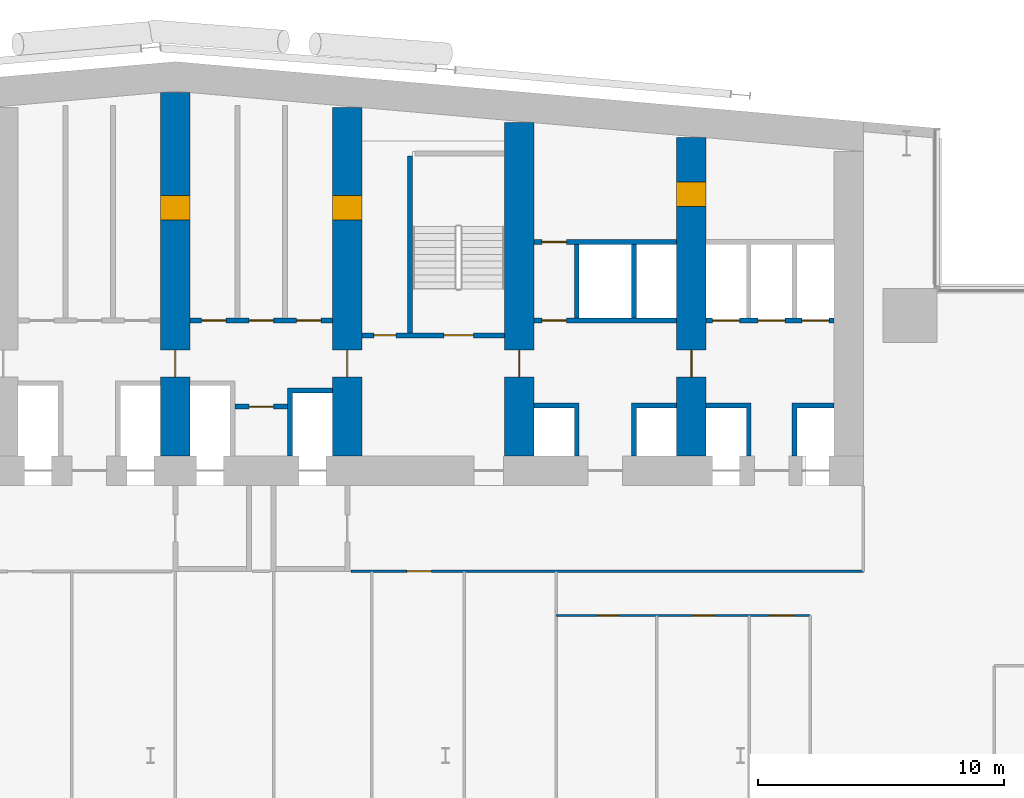
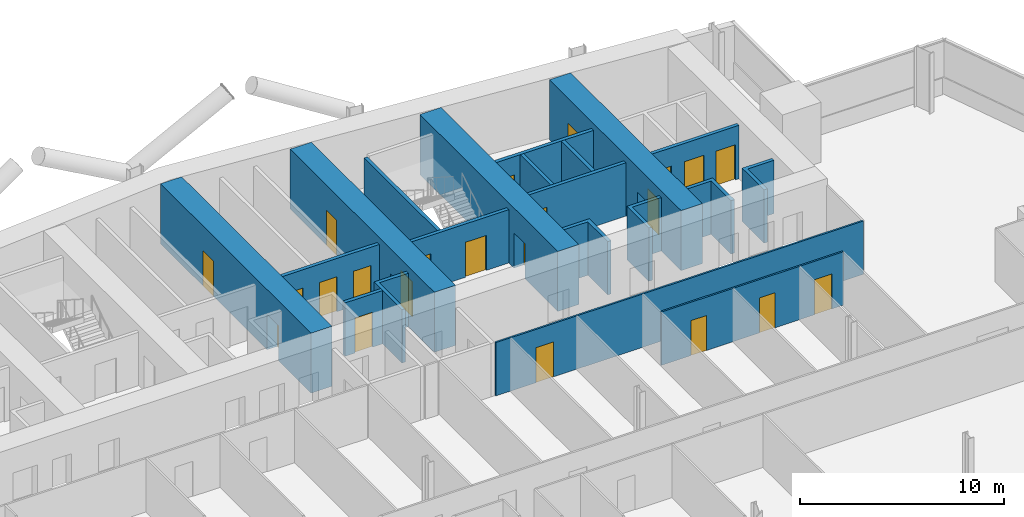
# One storey, part 18 of 28: 22 doors, 20 walls, 22 openings.
"""IFC4 building model written with IfcOpenShell, lengths in metres."""

import ifcopenshell
import ifcopenshell.guid

model = None  # the IFC model being written
_history = None  # IfcOwnerHistory: only IFC2X3 demands one
_inside = {}  # id of a spatial element -> (the spatial element, [elements in it])
_under = {}  # id of a project, library or spatial element -> (it, [spatial elements below it])
_declared = {}  # id of a project -> (the project, [libraries it declares])
_typed = {}  # id of a type object -> (the type object, [elements of that type])
_made_of = {}  # id of a material, layer set ... -> (it, [elements and type objects made of it])


def new_model(schema):
    """Start an empty IFC model of exactly this schema.

    Asked for "IFC4X3", IfcOpenShell would pick the latest addendum, in which some entities
    have other attributes; the version numbers below select the first issue.
    IFC2X3 requires an IfcOwnerHistory on every rooted entity: one is made here for all.
    """
    global model, _history
    if schema == "IFC4X3":
        model = ifcopenshell.file(schema_version=(4, 3, 0, 0))
    else:
        model = ifcopenshell.file(schema=schema)
    _inside.clear()
    _under.clear()
    _declared.clear()
    _typed.clear()
    _made_of.clear()
    _history = None
    if model.schema == "IFC2X3":
        org = make("IfcOrganization", Name="unknown")
        user = make(
            "IfcPersonAndOrganization",
            ThePerson=make("IfcPerson", FamilyName="unknown"),
            TheOrganization=org,
        )
        app = make(
            "IfcApplication",
            ApplicationDeveloper=org,
            Version="unknown",
            ApplicationFullName="unknown",
            ApplicationIdentifier="unknown",
        )
        _history = make(
            "IfcOwnerHistory",
            OwningUser=user,
            OwningApplication=app,
            ChangeAction="ADDED",
            CreationDate=0,
        )
    return model


def make(cls, **values):
    """One entity of the class cls with the attributes given. An attribute that is None is left unset."""
    return model.create_entity(
        cls, **{name: value for name, value in values.items() if value is not None}
    )


def rooted(cls, **values):
    """An entity with a GlobalId (a new one), such as an element, a storey or a relation."""
    return make(cls, GlobalId=ifcopenshell.guid.new(), OwnerHistory=_history, **values)


def si_unit(unit_type, name, prefix=None):
    """IfcSIUnit, for example si_unit("LENGTHUNIT", "METRE", prefix="MILLI")."""
    return make("IfcSIUnit", UnitType=unit_type, Prefix=prefix, Name=name)


def assignment(units):
    """IfcUnitAssignment: the units of a project."""
    return None if units is None else make("IfcUnitAssignment", Units=units)


def point(xyz):
    """IfcCartesianPoint."""
    return None if xyz is None else make("IfcCartesianPoint", Coordinates=xyz)


def direction(xyz):
    """IfcDirection."""
    return None if xyz is None else make("IfcDirection", DirectionRatios=xyz)


def frame(location, z_axis=None, x_axis=None):
    """IfcAxis2Placement3D, a coordinate frame: its origin and axes. An axis left out is left unset."""
    return make(
        "IfcAxis2Placement3D",
        Location=point(location),
        Axis=direction(z_axis),
        RefDirection=direction(x_axis),
    )


def frame_2d(location, x_axis=None):
    """IfcAxis2Placement2D, a coordinate frame in the plane: its origin and x axis."""
    return make(
        "IfcAxis2Placement2D", Location=point(location), RefDirection=direction(x_axis)
    )


def origin():
    """The frame at (0, 0, 0) with its axes left unset."""
    return frame((0.0, 0.0, 0.0))


def place(relative_to, where):
    """IfcLocalPlacement: puts the frame where relative to a parent placement (None: the world)."""
    return make(
        "IfcLocalPlacement", PlacementRelTo=relative_to, RelativePlacement=where
    )


def context(
    kind, dimensions, precision=None, world=None, true_north=None, identifier=None
):
    """IfcGeometricRepresentationContext, for example the 3D "Model" context."""
    return make(
        "IfcGeometricRepresentationContext",
        ContextIdentifier=identifier,
        ContextType=kind,
        CoordinateSpaceDimension=dimensions,
        Precision=precision,
        WorldCoordinateSystem=world,
        TrueNorth=true_north,
    )


def subcontext(parent, identifier, kind, view, scale=None):
    """IfcGeometricRepresentationSubContext, for example "Body" below "Model"."""
    return make(
        "IfcGeometricRepresentationSubContext",
        ContextIdentifier=identifier,
        ContextType=kind,
        ParentContext=parent,
        TargetScale=scale,
        TargetView=view,
    )


def project(units=None, contexts=None):
    """IfcProject with its units and contexts."""
    return rooted(
        "IfcProject",
        Name="project",
        RepresentationContexts=contexts,
        UnitsInContext=assignment(units),
    )


def spatial(cls, under=None, at=None, **own):
    """A site, building, storey or space (cls), placed at a placement, below another one or the project."""
    s = rooted(cls, ObjectPlacement=at, **own)
    if under is not None:
        _under.setdefault(under.id(), (under, []))[1].append(s)
    return s


def polyline(points):
    """IfcPolyline through the points."""
    return make("IfcPolyline", Points=[point(p) for p in points])


def profile(cls, at=None, kind="AREA", **sizes):
    """A parametric profile (cls). Its sizes go by their IFC names, for example OverallWidth=200.0."""
    return make(cls, ProfileType=kind, Position=at, **sizes)


def rectangle(**sizes):
    """IfcRectangleProfileDef."""
    return profile("IfcRectangleProfileDef", **sizes)


def outline(outer, holes=None, kind="AREA"):
    """IfcArbitraryClosedProfileDef: a profile drawn as a closed curve; with holes, ...WithVoids."""
    if holes is None:
        return make("IfcArbitraryClosedProfileDef", ProfileType=kind, OuterCurve=outer)
    return make(
        "IfcArbitraryProfileDefWithVoids",
        ProfileType=kind,
        OuterCurve=outer,
        InnerCurves=holes,
    )


def extrude(swept, where, along, depth):
    """IfcExtrudedAreaSolid: the profile swept, set in the frame where, extruded along a direction by depth."""
    return make(
        "IfcExtrudedAreaSolid",
        SweptArea=swept,
        Position=where,
        ExtrudedDirection=direction(along),
        Depth=depth,
    )


def shape(context_of_items, identifier, shape_type, items):
    """IfcShapeRepresentation: the items that make up one representation, for example the "Body"."""
    return make(
        "IfcShapeRepresentation",
        ContextOfItems=context_of_items,
        RepresentationIdentifier=identifier,
        RepresentationType=shape_type,
        Items=items,
    )


def material(Name=None, Category=None):
    """IfcMaterial."""
    return make("IfcMaterial", Name=Name, Category=Category)


def layer(
    of_material, thickness, ventilated=None, Name=None, Category=None, Priority=None
):
    """IfcMaterialLayer: one layer of a wall or slab, of a material (None: an air gap)."""
    return make(
        "IfcMaterialLayer",
        Material=of_material,
        LayerThickness=thickness,
        IsVentilated=ventilated,
        Name=Name,
        Category=Category,
        Priority=Priority,
    )


def layer_set(layers, Name=None):
    """IfcMaterialLayerSet."""
    return make("IfcMaterialLayerSet", MaterialLayers=layers, LayerSetName=Name)


def made_of(thing, what):
    """Note that an element or type object is made of a material, layer set ...; save() writes the relation."""
    if what is not None:
        _made_of.setdefault(what.id(), (what, []))[1].append(thing)
    return thing


def type_object(cls, material=None, **own):
    """A type object (cls), such as IfcWallType, which elements share."""
    return made_of(rooted(cls, **own), material)


def element(
    cls,
    number,
    at=None,
    inside=None,
    cuts=None,
    type_object=None,
    material=None,
    context=None,
    identifier="Body",
    shape_type=None,
    held_by="IfcProductDefinitionShape",
    body=None,
    shapes=None,
    **own,
):
    """One element of the class cls, such as IfcWall. Its Tag is "e" and its number.

    at: its placement. inside: the storey or other place that contains it. cuts: it is an
    opening in that element (IfcRelVoidsElement). A single representation is given by context,
    identifier, shape_type and body (its items); several are given by shapes. held_by: the class
    of the entity that holds the representations. save() writes the other relations.
    """
    e = rooted(cls, Tag="e%d" % number, ObjectPlacement=at, **own)
    if body is not None:
        shapes = [shape(context, identifier, shape_type, body)]
    if shapes is not None:
        e.Representation = make(held_by, Representations=shapes)
    if inside is not None:
        _inside.setdefault(inside.id(), (inside, []))[1].append(e)
    if cuts is not None:
        rooted(
            "IfcRelVoidsElement", RelatingBuildingElement=cuts, RelatedOpeningElement=e
        )
    if type_object is not None:
        _typed.setdefault(type_object.id(), (type_object, []))[1].append(e)
    return made_of(e, material)


def fill(opening, filler):
    """IfcRelFillsElement: the door or window that sits in an opening."""
    return rooted(
        "IfcRelFillsElement",
        RelatingOpeningElement=opening,
        RelatedBuildingElement=filler,
    )


def aggregate(whole, parts):
    """IfcRelAggregates: a whole, such as a stair, and the parts it consists of."""
    return rooted("IfcRelAggregates", RelatingObject=whole, RelatedObjects=parts)


def save(model, path):
    """Write the relations noted so far, then the file.

    IfcRelAggregates (storeys below a building ...), IfcRelContainedInSpatialStructure (elements
    in a storey), IfcRelDefinesByType, IfcRelAssociatesMaterial and IfcRelDeclares: one each for
    every whole, place, type object, material and project.
    """
    for whole, parts in _under.values():
        aggregate(whole, parts)
    for where, things in _inside.values():
        rooted(
            "IfcRelContainedInSpatialStructure",
            RelatedElements=things,
            RelatingStructure=where,
        )
    for kind, things in _typed.values():
        rooted("IfcRelDefinesByType", RelatedObjects=things, RelatingType=kind)
    for what, things in _made_of.values():
        rooted("IfcRelAssociatesMaterial", RelatedObjects=things, RelatingMaterial=what)
    for by, libraries in _declared.values():
        rooted("IfcRelDeclares", RelatingContext=by, RelatedDefinitions=libraries)
    model.write(path)


model = new_model("IFC4")

# Units and contexts
model_context = context("Model", 3, precision=1e-05, world=origin(), true_north=direction((0.0, 1.0)))
body_context = subcontext(model_context, "Body", "Model", "MODEL_VIEW")
ifc_project = project(units=[si_unit("LENGTHUNIT", "METRE"), si_unit("AREAUNIT", "SQUARE_METRE"), si_unit("VOLUMEUNIT", "CUBIC_METRE"), si_unit("PLANEANGLEUNIT", "RADIAN"), si_unit("MASSUNIT", "GRAM", prefix="KILO")], contexts=[model_context])

# Site, building, storey
site_placement = place(None, origin())
site = spatial("IfcSite", under=ifc_project, at=site_placement, CompositionType="ELEMENT")
building_placement = place(site_placement, origin())
building = spatial("IfcBuilding", under=site, at=building_placement, Name="Wharfspan Tower", CompositionType="ELEMENT")
storey_placement = place(building_placement, frame((0.0, 0.0, 52.300049)))
storey = spatial("IfcBuildingStorey", under=building, at=storey_placement, Name="L09", CompositionType="ELEMENT", Elevation=52.300049)

# Wall, opening, door
ifc_material_1 = material(Name="Gypsum board on steel studs", Category="steel")
ifc_layer_1 = layer(ifc_material_1, 0.100098)
ifc_layer_set_1 = layer_set([ifc_layer_1], Name="Gypsum board on steel studs")
wall_type_1 = type_object("IfcWallType", Name="Compartment wall 100 EI 60", PredefinedType="PARTITIONING", material=ifc_layer_set_1)
wall_1_placement = place(storey_placement, frame((44.149902, 30.5, 0.0), z_axis=(0.0, 0.0, 1.0), x_axis=(1.0, 0.0, 0.0)))
wall_1 = element("IfcWall", 1, at=wall_1_placement, inside=storey, type_object=wall_type_1, Name="Partition L09.w015 (3)", PredefinedType="PARTITIONING", context=body_context, shape_type="SweptSolid", body=[
    extrude(rectangle(XDim=20.850098, YDim=0.100098, at=frame_2d((10.425049, 0.0))), origin(), (0.0, 0.0, 1.0), 3.199951),
])
opening_1_placement = place(wall_1_placement, frame((2.27002, 0.0, 0.0)))
opening_1 = element("IfcOpeningElement", 2, at=opening_1_placement, cuts=wall_1, Name="Opening A2-39", PredefinedType="OPENING", context=body_context, shape_type="SweptSolid", body=[
    extrude(rectangle(XDim=1.0, YDim=2.100098, at=frame_2d((0.5, 1.050049))), frame((0.0, 0.060059, 0.0), z_axis=(0.0, -1.0, 0.0), x_axis=(1.0, 0.0, 0.0)), (0.0, 0.0, 1.0), 0.120117),
])
ifc_material_2 = material(Name="Fire-rated timber door leaf in steel frame", Category="steel")
door_type_1 = type_object("IfcDoorType", Name="Door 1000 FD30S Right", OperationType="SINGLE_SWING_RIGHT", PredefinedType="DOOR", material=ifc_material_2)
door_1_placement = place(opening_1_placement, origin())
door_1 = element("IfcDoor", 3, at=door_1_placement, inside=storey, type_object=door_type_1, Name="Door A2-39", OperationType="SINGLE_SWING_RIGHT", OverallHeight=2.100098, OverallWidth=1.0, PredefinedType="DOOR", context=body_context, shape_type="SweptSolid", body=[
    extrude(rectangle(XDim=1.0, YDim=2.100098, at=frame_2d((0.5, 1.050049))), frame((0.0, 0.024902, 0.0), z_axis=(0.0, -1.0, 0.0), x_axis=(1.0, 0.0, 0.0)), (0.0, 0.0, 1.0), 0.050049),
])
fill(opening_1, door_1)

ifc_material_3 = material(Name="Calcium silicate masonry", Category="masonry")
ifc_layer_2 = layer(ifc_material_3, 0.199951)
ifc_layer_set_2 = layer_set([ifc_layer_2], Name="Calcium silicate masonry")
wall_type_2 = type_object("IfcWallType", Name="Core room wall 200", PredefinedType="PARTITIONING", material=ifc_layer_set_2)
wall_2_placement = place(storey_placement, frame((39.43335, 37.199951, 0.0), z_axis=(0.0, 0.0, 1.0), x_axis=(1.0, 0.0, 0.0)))
wall_2 = element("IfcWall", 4, at=wall_2_placement, inside=storey, type_object=wall_type_2, Name="sw:L09:FR4.2", PredefinedType="PARTITIONING", context=body_context, shape_type="SweptSolid", body=[
    extrude(rectangle(XDim=2.133301, YDim=0.199951, at=frame_2d((1.06665, 0.0))), origin(), (0.0, 0.0, 1.0), 3.199951),
])
opening_2_placement = place(wall_2_placement, frame((0.56665, 0.0, 0.0)))
opening_2 = element("IfcOpeningElement", 5, at=opening_2_placement, cuts=wall_2, Name="Opening CD09.4H2", PredefinedType="OPENING", context=body_context, shape_type="SweptSolid", body=[
    extrude(rectangle(XDim=1.0, YDim=2.100098, at=frame_2d((0.5, 1.050049))), frame((0.0, 0.109863, 0.0), z_axis=(0.0, -1.0, 0.0), x_axis=(1.0, 0.0, 0.0)), (0.0, 0.0, 1.0), 0.219971),
])
ifc_material_4 = material(Name="Steel door leaf", Category="steel")
door_type_2 = type_object("IfcDoorType", Name="Core room door 1000x2100", OperationType="SINGLE_SWING_LEFT", PredefinedType="DOOR", material=ifc_material_4)
door_2_placement = place(opening_2_placement, origin())
door_2 = element("IfcDoor", 6, at=door_2_placement, inside=storey, type_object=door_type_2, Name="d:L09:4:fh4.2", OperationType="SINGLE_SWING_RIGHT", OverallHeight=2.100098, OverallWidth=1.0, PredefinedType="DOOR", context=body_context, shape_type="SweptSolid", body=[
    extrude(rectangle(XDim=1.0, YDim=2.100098, at=frame_2d((0.5, 1.050049))), frame((0.0, 0.024902, 0.0), z_axis=(0.0, -1.0, 0.0), x_axis=(1.0, 0.0, 0.0)), (0.0, 0.0, 1.0), 0.050049),
])
fill(opening_2, door_2)

# Wall, openings, doors
ifc_material_5 = material(Name="Concrete C70/85", Category="concrete")
ifc_layer_3 = layer(ifc_material_5, 1.199951)
ifc_layer_set_3 = layer_set([ifc_layer_3], Name="Concrete C70/85")
wall_type_3 = type_object("IfcWallType", Name="Core wall 1200 C70/85", PredefinedType="SHEAR", material=ifc_layer_set_3)
wall_3_placement = place(storey_placement, frame((37.0, 35.199951, 0.0), z_axis=(0.0, 0.0, 1.0), x_axis=(0.0, 1.0, 0.0)))
wall_3 = element("IfcWall", 7, at=wall_3_placement, inside=storey, type_object=wall_type_3, Name="Core cross wall X4 L09", PredefinedType="SHEAR", context=body_context, shape_type="SweptSolid", body=[
    extrude(rectangle(XDim=14.780029, YDim=1.199951, at=frame_2d((7.390137, 0.0))), origin(), (0.0, 0.0, 1.0), 3.599854),
])
opening_3_placement = place(wall_3_placement, frame((3.199951, 0.0, 0.0)))
opening_3 = element("IfcOpeningElement", 8, at=opening_3_placement, cuts=wall_3, Name="Opening CC09.4", PredefinedType="OPENING", context=body_context, shape_type="SweptSolid", body=[
    extrude(rectangle(XDim=1.100098, YDim=2.100098, at=frame_2d((0.550049, 1.050049))), frame((0.0, 0.609863, 0.0), z_axis=(0.0, -1.0, 0.0), x_axis=(1.0, 0.0, 0.0)), (0.0, 0.0, 1.0), 1.219971),
])
opening_4_placement = place(wall_3_placement, frame((9.600098, 0.0, 0.0)))
opening_4 = element("IfcOpeningElement", 9, at=opening_4_placement, cuts=wall_3, Name="Opening CR09.4", PredefinedType="OPENING", context=body_context, shape_type="SweptSolid", body=[
    extrude(rectangle(XDim=1.0, YDim=2.100098, at=frame_2d((0.5, 1.050049))), frame((0.0, 0.609863, 0.0), z_axis=(0.0, -1.0, 0.0), x_axis=(1.0, 0.0, 0.0)), (0.0, 0.0, 1.0), 1.219971),
])
door_type_3 = type_object("IfcDoorType", Name="Core corridor door 1100x2100", OperationType="SINGLE_SWING_LEFT", PredefinedType="DOOR", material=ifc_material_4)
door_3_placement = place(opening_3_placement, origin())
door_3 = element("IfcDoor", 10, at=door_3_placement, inside=storey, type_object=door_type_3, Name="xd:L09:4", OperationType="SINGLE_SWING_RIGHT", OverallHeight=2.100098, OverallWidth=1.100098, PredefinedType="DOOR", context=body_context, shape_type="SweptSolid", body=[
    extrude(rectangle(XDim=1.100098, YDim=2.100098, at=frame_2d((0.550049, 1.050049))), frame((0.0, 0.024902, 0.0), z_axis=(0.0, -1.0, 0.0), x_axis=(1.0, 0.0, 0.0)), (0.0, 0.0, 1.0), 0.050049),
])
fill(opening_3, door_3)
door_4_placement = place(opening_4_placement, origin())
door_4 = element("IfcDoor", 11, at=door_4_placement, inside=storey, type_object=door_type_2, Name="xr:L09:4", OperationType="SINGLE_SWING_RIGHT", OverallHeight=2.100098, OverallWidth=1.0, PredefinedType="DOOR", context=body_context, shape_type="SweptSolid", body=[
    extrude(rectangle(XDim=1.0, YDim=2.100098, at=frame_2d((0.5, 1.050049))), frame((0.0, 0.599609, 0.0), z_axis=(0.0, -1.0, 0.0), x_axis=(1.0, 0.0, 0.0)), (0.0, 0.0, 1.0), 1.199463),
])
fill(opening_4, door_4)

wall_4_placement = place(storey_placement, frame((44.0, 35.199951, 0.0), z_axis=(0.0, 0.0, 1.0), x_axis=(0.0, 1.0, 0.0)))
wall_4 = element("IfcWall", 12, at=wall_4_placement, inside=storey, type_object=wall_type_3, Name="Core cross wall X5 L09", PredefinedType="SHEAR", context=body_context, shape_type="SweptSolid", body=[
    extrude(rectangle(XDim=14.167725, YDim=1.199951, at=frame_2d((7.083984, 0.0))), origin(), (0.0, 0.0, 1.0), 3.599854),
])
opening_5_placement = place(wall_4_placement, frame((3.199951, 0.0, 0.0)))
opening_5 = element("IfcOpeningElement", 13, at=opening_5_placement, cuts=wall_4, Name="Opening CC09.5", PredefinedType="OPENING", context=body_context, shape_type="SweptSolid", body=[
    extrude(rectangle(XDim=1.100098, YDim=2.100098, at=frame_2d((0.550049, 1.050049))), frame((0.0, 0.609863, 0.0), z_axis=(0.0, -1.0, 0.0), x_axis=(1.0, 0.0, 0.0)), (0.0, 0.0, 1.0), 1.219971),
])
opening_6_placement = place(wall_4_placement, frame((9.600098, 0.0, 0.0)))
opening_6 = element("IfcOpeningElement", 14, at=opening_6_placement, cuts=wall_4, Name="Opening CR09.5", PredefinedType="OPENING", context=body_context, shape_type="SweptSolid", body=[
    extrude(rectangle(XDim=1.0, YDim=2.100098, at=frame_2d((0.5, 1.050049))), frame((0.0, 0.609863, 0.0), z_axis=(0.0, -1.0, 0.0), x_axis=(1.0, 0.0, 0.0)), (0.0, 0.0, 1.0), 1.219971),
])
door_5_placement = place(opening_5_placement, origin())
door_5 = element("IfcDoor", 15, at=door_5_placement, inside=storey, type_object=door_type_3, Name="xd:L09:5", OperationType="SINGLE_SWING_LEFT", OverallHeight=2.100098, OverallWidth=1.100098, PredefinedType="DOOR", context=body_context, shape_type="SweptSolid", body=[
    extrude(rectangle(XDim=1.100098, YDim=2.100098, at=frame_2d((0.550049, 1.050049))), frame((0.0, 0.024902, 0.0), z_axis=(0.0, -1.0, 0.0), x_axis=(1.0, 0.0, 0.0)), (0.0, 0.0, 1.0), 0.050049),
])
fill(opening_5, door_5)
door_6_placement = place(opening_6_placement, origin())
door_6 = element("IfcDoor", 16, at=door_6_placement, inside=storey, type_object=door_type_2, Name="xr:L09:5", OperationType="SINGLE_SWING_RIGHT", OverallHeight=2.100098, OverallWidth=1.0, PredefinedType="DOOR", context=body_context, shape_type="SweptSolid", body=[
    extrude(rectangle(XDim=1.0, YDim=2.100098, at=frame_2d((0.5, 1.050049))), frame((0.0, 0.599609, 0.0), z_axis=(0.0, -1.0, 0.0), x_axis=(1.0, 0.0, 0.0)), (0.0, 0.0, 1.0), 1.199463),
])
fill(opening_6, door_6)

# Wall, opening, door
wall_5_placement = place(storey_placement, frame((51.0, 35.199951, 0.0), z_axis=(0.0, 0.0, 1.0), x_axis=(0.0, 1.0, 0.0)))
wall_5 = element("IfcWall", 17, at=wall_5_placement, inside=storey, type_object=wall_type_3, Name="Core cross wall X6 L09", PredefinedType="SHEAR", context=body_context, shape_type="SweptSolid", body=[
    extrude(rectangle(XDim=13.555176, YDim=1.199951, at=frame_2d((6.777588, 0.0))), origin(), (0.0, 0.0, 1.0), 3.599854),
])
opening_7_placement = place(wall_5_placement, frame((3.199951, 0.0, 0.0)))
opening_7 = element("IfcOpeningElement", 18, at=opening_7_placement, cuts=wall_5, Name="Opening CC09.6", PredefinedType="OPENING", context=body_context, shape_type="SweptSolid", body=[
    extrude(rectangle(XDim=1.100098, YDim=2.100098, at=frame_2d((0.550049, 1.050049))), frame((0.0, 0.609863, 0.0), z_axis=(0.0, -1.0, 0.0), x_axis=(1.0, 0.0, 0.0)), (0.0, 0.0, 1.0), 1.219971),
])
door_7_placement = place(opening_7_placement, origin())
door_7 = element("IfcDoor", 19, at=door_7_placement, inside=storey, type_object=door_type_3, Name="xd:L09:6", OperationType="SINGLE_SWING_RIGHT", OverallHeight=2.100098, OverallWidth=1.100098, PredefinedType="DOOR", context=body_context, shape_type="SweptSolid", body=[
    extrude(rectangle(XDim=1.100098, YDim=2.100098, at=frame_2d((0.550049, 1.050049))), frame((0.0, 0.024902, 0.0), z_axis=(0.0, -1.0, 0.0), x_axis=(1.0, 0.0, 0.0)), (0.0, 0.0, 1.0), 0.050049),
])
fill(opening_7, door_7)

# Wall, openings, doors
wall_6_placement = place(storey_placement, frame((58.0, 35.199951, 0.0), z_axis=(0.0, 0.0, 1.0), x_axis=(0.0, 1.0, 0.0)))
wall_6 = element("IfcWall", 20, at=wall_6_placement, inside=storey, type_object=wall_type_3, Name="Core cross wall X7 L09", PredefinedType="SHEAR", context=body_context, shape_type="SweptSolid", body=[
    extrude(rectangle(XDim=12.942871, YDim=1.199951, at=frame_2d((6.471436, 0.0))), origin(), (0.0, 0.0, 1.0), 3.599854),
])
opening_8_placement = place(wall_6_placement, frame((10.133789, 0.0, 0.0)))
opening_8 = element("IfcOpeningElement", 21, at=opening_8_placement, cuts=wall_6, Name="Opening CD09.7X", PredefinedType="OPENING", context=body_context, shape_type="SweptSolid", body=[
    extrude(rectangle(XDim=1.0, YDim=2.100098, at=frame_2d((0.5, 1.050049))), frame((0.0, 0.609863, 0.0), z_axis=(0.0, -1.0, 0.0), x_axis=(1.0, 0.0, 0.0)), (0.0, 0.0, 1.0), 1.219971),
])
opening_9_placement = place(wall_6_placement, frame((3.199951, 0.0, 0.0)))
opening_9 = element("IfcOpeningElement", 22, at=opening_9_placement, cuts=wall_6, Name="Opening CC09.7", PredefinedType="OPENING", context=body_context, shape_type="SweptSolid", body=[
    extrude(rectangle(XDim=1.100098, YDim=2.100098, at=frame_2d((0.550049, 1.050049))), frame((0.0, 0.609863, 0.0), z_axis=(0.0, -1.0, 0.0), x_axis=(1.0, 0.0, 0.0)), (0.0, 0.0, 1.0), 1.219971),
])
door_8_placement = place(opening_9_placement, origin())
door_8 = element("IfcDoor", 23, at=door_8_placement, inside=storey, type_object=door_type_3, Name="xd:L09:7", OperationType="SINGLE_SWING_LEFT", OverallHeight=2.100098, OverallWidth=1.100098, PredefinedType="DOOR", context=body_context, shape_type="SweptSolid", body=[
    extrude(rectangle(XDim=1.100098, YDim=2.100098, at=frame_2d((0.550049, 1.050049))), frame((0.0, 0.024902, 0.0), z_axis=(0.0, -1.0, 0.0), x_axis=(1.0, 0.0, 0.0)), (0.0, 0.0, 1.0), 0.050049),
])
fill(opening_9, door_8)
door_9_placement = place(opening_8_placement, origin())
door_9 = element("IfcDoor", 24, at=door_9_placement, inside=storey, type_object=door_type_2, Name="d:L09:7:sx", OperationType="SINGLE_SWING_LEFT", OverallHeight=2.100098, OverallWidth=1.0, PredefinedType="DOOR", context=body_context, shape_type="SweptSolid", body=[
    extrude(rectangle(XDim=1.0, YDim=2.100098, at=frame_2d((0.5, 1.050049))), frame((0.0, 0.599609, 0.0), z_axis=(0.0, -1.0, 0.0), x_axis=(1.0, 0.0, 0.0)), (0.0, 0.0, 1.0), 1.199463),
])
fill(opening_8, door_9)

ifc_material_6 = material(Name="Concrete C30/37", Category="concrete")
ifc_layer_4 = layer(ifc_material_6, 0.199951)
ifc_layer_set_4 = layer_set([ifc_layer_4], Name="Concrete C30/37")
wall_type_4 = type_object("IfcWallType", Name="Lift shaft wall 200", PredefinedType="PARTITIONING", material=ifc_layer_set_4)
wall_7_placement = place(storey_placement, frame((37.600098, 40.699951, 0.0), z_axis=(0.0, 0.0, 1.0), x_axis=(1.0, 0.0, 0.0)))
wall_7 = element("IfcWall", 25, at=wall_7_placement, inside=storey, type_object=wall_type_4, Name="sw:L09:RF4", PredefinedType="PARTITIONING", context=body_context, shape_type="SweptSolid", body=[
    extrude(rectangle(XDim=5.799805, YDim=0.199951, at=frame_2d((2.899902, 0.0))), origin(), (0.0, 0.0, 1.0), 3.199951),
])
opening_10_placement = place(wall_7_placement, frame((0.466797, 0.0, 0.0)))
opening_10 = element("IfcOpeningElement", 26, at=opening_10_placement, cuts=wall_7, Name="Opening CD09.4S", PredefinedType="OPENING", context=body_context, shape_type="SweptSolid", body=[
    extrude(rectangle(XDim=1.0, YDim=2.100098, at=frame_2d((0.5, 1.050049))), frame((0.0, 0.109863, 0.0), z_axis=(0.0, -1.0, 0.0), x_axis=(1.0, 0.0, 0.0)), (0.0, 0.0, 1.0), 0.219971),
])
opening_11_placement = place(wall_7_placement, frame((2.399902, 0.0, 0.0)))
opening_11 = element("IfcOpeningElement", 27, at=opening_11_placement, cuts=wall_7, Name="Opening CD09.4Sa", PredefinedType="OPENING", context=body_context, shape_type="SweptSolid", body=[
    extrude(rectangle(XDim=1.0, YDim=2.100098, at=frame_2d((0.5, 1.050049))), frame((0.0, 0.109863, 0.0), z_axis=(0.0, -1.0, 0.0), x_axis=(1.0, 0.0, 0.0)), (0.0, 0.0, 1.0), 0.219971),
])
opening_12_placement = place(wall_7_placement, frame((4.333252, 0.0, 0.0)))
opening_12 = element("IfcOpeningElement", 28, at=opening_12_placement, cuts=wall_7, Name="Opening CD09.4Sb", PredefinedType="OPENING", context=body_context, shape_type="SweptSolid", body=[
    extrude(rectangle(XDim=1.0, YDim=2.100098, at=frame_2d((0.5, 1.050049))), frame((0.0, 0.109863, 0.0), z_axis=(0.0, -1.0, 0.0), x_axis=(1.0, 0.0, 0.0)), (0.0, 0.0, 1.0), 0.219971),
])
door_10_placement = place(opening_10_placement, origin())
door_10 = element("IfcDoor", 29, at=door_10_placement, inside=storey, type_object=door_type_2, Name="d:L09:4:sf", OperationType="SINGLE_SWING_LEFT", OverallHeight=2.100098, OverallWidth=1.0, PredefinedType="DOOR", context=body_context, shape_type="SweptSolid", body=[
    extrude(rectangle(XDim=1.0, YDim=2.100098, at=frame_2d((0.5, 1.050049))), frame((0.0, 0.024902, 0.0), z_axis=(0.0, -1.0, 0.0), x_axis=(1.0, 0.0, 0.0)), (0.0, 0.0, 1.0), 0.050049),
])
fill(opening_10, door_10)
door_11_placement = place(opening_11_placement, origin())
door_11 = element("IfcDoor", 30, at=door_11_placement, inside=storey, type_object=door_type_2, Name="d:L09:4:sf1", OperationType="SINGLE_SWING_LEFT", OverallHeight=2.100098, OverallWidth=1.0, PredefinedType="DOOR", context=body_context, shape_type="SweptSolid", body=[
    extrude(rectangle(XDim=1.0, YDim=2.100098, at=frame_2d((0.5, 1.050049))), frame((0.0, 0.024902, 0.0), z_axis=(0.0, -1.0, 0.0), x_axis=(1.0, 0.0, 0.0)), (0.0, 0.0, 1.0), 0.050049),
])
fill(opening_11, door_11)
door_12_placement = place(opening_12_placement, origin())
door_12 = element("IfcDoor", 31, at=door_12_placement, inside=storey, type_object=door_type_2, Name="d:L09:4:sf2", OperationType="SINGLE_SWING_LEFT", OverallHeight=2.100098, OverallWidth=1.0, PredefinedType="DOOR", context=body_context, shape_type="SweptSolid", body=[
    extrude(rectangle(XDim=1.0, YDim=2.100098, at=frame_2d((0.5, 1.050049))), frame((0.0, 0.024902, 0.0), z_axis=(0.0, -1.0, 0.0), x_axis=(1.0, 0.0, 0.0)), (0.0, 0.0, 1.0), 0.050049),
])
fill(opening_12, door_12)

# Wall
wall_8_placement = place(storey_placement, frame((0.0, 0.0, -0.000244)))
element("IfcWall", 32, at=wall_8_placement, inside=storey, type_object=wall_type_4, Name="sw:L09:FM4.0", PredefinedType="PARTITIONING", context=body_context, shape_type="SweptSolid", body=[
    extrude(outline(polyline([(41.56665, 37.949951), (41.766602, 37.949951), (43.399902, 37.949951), (43.399902, 37.75), (41.766602, 37.75), (41.766602, 35.199951), (41.56665, 35.199951), (41.56665, 37.949951)])), origin(), (0.0, 0.0, 1.0), 3.200195),
])

# Wall, opening, door
wall_9_placement = place(storey_placement, frame((51.600098, 40.699951, 0.0), z_axis=(0.0, 0.0, 1.0), x_axis=(1.0, 0.0, 0.0)))
wall_9 = element("IfcWall", 33, at=wall_9_placement, inside=storey, type_object=wall_type_4, Name="sw:L09:RF6", PredefinedType="PARTITIONING", context=body_context, shape_type="SweptSolid", body=[
    extrude(rectangle(XDim=5.799805, YDim=0.199951, at=frame_2d((2.899902, 0.0))), origin(), (0.0, 0.0, 1.0), 3.199951),
])
opening_13_placement = place(wall_9_placement, frame((0.31665, 0.0, 0.0)))
opening_13 = element("IfcOpeningElement", 34, at=opening_13_placement, cuts=wall_9, Name="Opening CD09.6R1", PredefinedType="OPENING", context=body_context, shape_type="SweptSolid", body=[
    extrude(rectangle(XDim=1.0, YDim=2.100098, at=frame_2d((0.5, 1.050049))), frame((0.0, 0.109863, 0.0), z_axis=(0.0, -1.0, 0.0), x_axis=(1.0, 0.0, 0.0)), (0.0, 0.0, 1.0), 0.219971),
])
door_13_placement = place(opening_13_placement, origin())
door_13 = element("IfcDoor", 35, at=door_13_placement, inside=storey, type_object=door_type_2, Name="d:L09:6:rd6.1", OperationType="SINGLE_SWING_RIGHT", OverallHeight=2.100098, OverallWidth=1.0, PredefinedType="DOOR", context=body_context, shape_type="SweptSolid", body=[
    extrude(rectangle(XDim=1.0, YDim=2.100098, at=frame_2d((0.5, 1.050049))), frame((0.0, 0.024902, 0.0), z_axis=(0.0, -1.0, 0.0), x_axis=(1.0, 0.0, 0.0)), (0.0, 0.0, 1.0), 0.050049),
])
fill(opening_13, door_13)

wall_10_placement = place(storey_placement, frame((51.600098, 43.899902, 0.0), z_axis=(0.0, 0.0, 1.0), x_axis=(1.0, 0.0, 0.0)))
wall_10 = element("IfcWall", 36, at=wall_10_placement, inside=storey, type_object=wall_type_4, Name="sw:L09:RR6", PredefinedType="PARTITIONING", context=body_context, shape_type="SweptSolid", body=[
    extrude(rectangle(XDim=5.799805, YDim=0.199951, at=frame_2d((2.899902, 0.0))), origin(), (0.0, 0.0, 1.0), 3.199951),
])
opening_14_placement = place(wall_10_placement, frame((0.31665, 0.0, 0.0)))
opening_14 = element("IfcOpeningElement", 37, at=opening_14_placement, cuts=wall_10, Name="Opening CD09.6S1", PredefinedType="OPENING", context=body_context, shape_type="SweptSolid", body=[
    extrude(rectangle(XDim=1.0, YDim=2.100098, at=frame_2d((0.5, 1.050049))), frame((0.0, 0.109863, 0.0), z_axis=(0.0, -1.0, 0.0), x_axis=(1.0, 0.0, 0.0)), (0.0, 0.0, 1.0), 0.219971),
])
door_14_placement = place(opening_14_placement, origin())
door_14 = element("IfcDoor", 38, at=door_14_placement, inside=storey, type_object=door_type_2, Name="d:L09:6:rs6.1", OperationType="SINGLE_SWING_LEFT", OverallHeight=2.100098, OverallWidth=1.0, PredefinedType="DOOR", context=body_context, shape_type="SweptSolid", body=[
    extrude(rectangle(XDim=1.0, YDim=2.100098, at=frame_2d((0.5, 1.050049))), frame((0.0, 0.024902, 0.0), z_axis=(0.0, -1.0, 0.0), x_axis=(1.0, 0.0, 0.0)), (0.0, 0.0, 1.0), 0.050049),
])
fill(opening_14, door_14)

# Walls
wall_11_placement = place(storey_placement, frame((0.0, 0.0, -0.000244)))
element("IfcWall", 39, at=wall_11_placement, inside=storey, type_object=wall_type_4, Name="sw:L09:FM6.0", PredefinedType="PARTITIONING", context=body_context, shape_type="SweptSolid", body=[
    extrude(outline(polyline([(53.233398, 37.149902), (51.600098, 37.149902), (51.600098, 37.350098), (53.233398, 37.350098), (53.43335, 37.350098), (53.43335, 35.199951), (53.233398, 35.199951), (53.233398, 37.149902)])), origin(), (0.0, 0.0, 1.0), 3.200195),
])
wall_12_placement = place(storey_placement, frame((0.0, 0.0, -0.000244)))
element("IfcWall", 40, at=wall_12_placement, inside=storey, type_object=wall_type_4, Name="sw:L09:FM6.1", PredefinedType="PARTITIONING", context=body_context, shape_type="SweptSolid", body=[
    extrude(outline(polyline([(55.56665, 37.350098), (55.766602, 37.350098), (57.399902, 37.350098), (57.399902, 37.149902), (55.766602, 37.149902), (55.766602, 35.199951), (55.56665, 35.199951), (55.56665, 37.350098)])), origin(), (0.0, 0.0, 1.0), 3.200195),
])
wall_13_placement = place(storey_placement, frame((0.0, 0.0, -0.000244)))
element("IfcWall", 41, at=wall_13_placement, inside=storey, type_object=wall_type_4, Name="sw:L09:RM6.0", PredefinedType="PARTITIONING", context=body_context, shape_type="SweptSolid", body=[
    extrude(outline(polyline([(53.233398, 40.800049), (53.233398, 43.800049), (53.43335, 43.800049), (53.43335, 40.800049), (53.233398, 40.800049)])), origin(), (0.0, 0.0, 1.0), 3.200195),
])
wall_14_placement = place(storey_placement, frame((0.0, 0.0, -0.000244)))
element("IfcWall", 42, at=wall_14_placement, inside=storey, type_object=wall_type_4, Name="sw:L09:RM6.1", PredefinedType="PARTITIONING", context=body_context, shape_type="SweptSolid", body=[
    extrude(outline(polyline([(55.56665, 40.800049), (55.56665, 43.800049), (55.766602, 43.800049), (55.766602, 40.800049), (55.56665, 40.800049)])), origin(), (0.0, 0.0, 1.0), 3.200195),
])

# Wall, openings, doors
wall_15_placement = place(storey_placement, frame((58.600098, 40.699951, 0.0), z_axis=(0.0, 0.0, 1.0), x_axis=(1.0, 0.0, 0.0)))
wall_15 = element("IfcWall", 43, at=wall_15_placement, inside=storey, type_object=wall_type_4, Name="sw:L09:RF7", PredefinedType="PARTITIONING", context=body_context, shape_type="SweptSolid", body=[
    extrude(rectangle(XDim=5.199951, YDim=0.199951, at=frame_2d((2.600098, 0.0))), origin(), (0.0, 0.0, 1.0), 3.199951),
])
opening_15_placement = place(wall_15_placement, frame((0.266602, 0.0, 0.0)))
opening_15 = element("IfcOpeningElement", 44, at=opening_15_placement, cuts=wall_15, Name="Opening LD.LA8.L09", PredefinedType="OPENING", context=body_context, shape_type="SweptSolid", body=[
    extrude(rectangle(XDim=1.100098, YDim=2.100098, at=frame_2d((0.550049, 1.050049))), frame((0.0, 0.109863, 0.0), z_axis=(0.0, -1.0, 0.0), x_axis=(1.0, 0.0, 0.0)), (0.0, 0.0, 1.0), 0.219971),
])
opening_16_placement = place(wall_15_placement, frame((2.116699, 0.0, 0.0)))
opening_16 = element("IfcOpeningElement", 45, at=opening_16_placement, cuts=wall_15, Name="Opening LD.LA9.L09", PredefinedType="OPENING", context=body_context, shape_type="SweptSolid", body=[
    extrude(rectangle(XDim=1.100098, YDim=2.100098, at=frame_2d((0.550049, 1.050049))), frame((0.0, 0.109863, 0.0), z_axis=(0.0, -1.0, 0.0), x_axis=(1.0, 0.0, 0.0)), (0.0, 0.0, 1.0), 0.219971),
])
opening_17_placement = place(wall_15_placement, frame((3.899902, 0.0, 0.0)))
opening_17 = element("IfcOpeningElement", 46, at=opening_17_placement, cuts=wall_15, Name="Opening LD.LA10.L09", PredefinedType="OPENING", context=body_context, shape_type="SweptSolid", body=[
    extrude(rectangle(XDim=1.100098, YDim=2.100098, at=frame_2d((0.550049, 1.050049))), frame((0.0, 0.109863, 0.0), z_axis=(0.0, -1.0, 0.0), x_axis=(1.0, 0.0, 0.0)), (0.0, 0.0, 1.0), 0.219971),
])
ifc_material_7 = material(Name="Stainless steel", Category="steel")
door_type_4 = type_object("IfcDoorType", Name="Lift landing door 1100x2100", OperationType="DOUBLE_DOOR_SLIDING", PredefinedType="DOOR", material=ifc_material_7)
door_15_placement = place(opening_15_placement, origin())
door_15 = element("IfcDoor", 47, at=door_15_placement, inside=storey, type_object=door_type_4, Name="Landing door LA8 L09", OperationType="DOUBLE_DOOR_SLIDING", OverallHeight=2.100098, OverallWidth=1.100098, PredefinedType="DOOR", context=body_context, shape_type="SweptSolid", body=[
    extrude(rectangle(XDim=1.100098, YDim=2.100098, at=frame_2d((0.550049, 1.050049))), frame((0.0, 0.024902, 0.0), z_axis=(0.0, -1.0, 0.0), x_axis=(1.0, 0.0, 0.0)), (0.0, 0.0, 1.0), 0.050049),
])
fill(opening_15, door_15)
door_16_placement = place(opening_16_placement, origin())
door_16 = element("IfcDoor", 48, at=door_16_placement, inside=storey, type_object=door_type_4, Name="Landing door LA9 L09", OperationType="DOUBLE_DOOR_SLIDING", OverallHeight=2.100098, OverallWidth=1.100098, PredefinedType="DOOR", context=body_context, shape_type="SweptSolid", body=[
    extrude(rectangle(XDim=1.100098, YDim=2.100098, at=frame_2d((0.550049, 1.050049))), frame((0.0, 0.024902, 0.0), z_axis=(0.0, -1.0, 0.0), x_axis=(1.0, 0.0, 0.0)), (0.0, 0.0, 1.0), 0.050049),
])
fill(opening_16, door_16)
door_17_placement = place(opening_17_placement, origin())
door_17 = element("IfcDoor", 49, at=door_17_placement, inside=storey, type_object=door_type_4, Name="Landing door LA10 L09", OperationType="DOUBLE_DOOR_SLIDING", OverallHeight=2.100098, OverallWidth=1.100098, PredefinedType="DOOR", context=body_context, shape_type="SweptSolid", body=[
    extrude(rectangle(XDim=1.100098, YDim=2.100098, at=frame_2d((0.550049, 1.050049))), frame((0.0, 0.024902, 0.0), z_axis=(0.0, -1.0, 0.0), x_axis=(1.0, 0.0, 0.0)), (0.0, 0.0, 1.0), 0.050049),
])
fill(opening_17, door_17)

# Walls
wall_16_placement = place(storey_placement, frame((0.0, 0.0, -0.000244)))
element("IfcWall", 50, at=wall_16_placement, inside=storey, type_object=wall_type_4, Name="sw:L09:FM7.0", PredefinedType="PARTITIONING", context=body_context, shape_type="SweptSolid", body=[
    extrude(outline(polyline([(60.233398, 37.149902), (58.600098, 37.149902), (58.600098, 37.350098), (60.233398, 37.350098), (60.43335, 37.350098), (60.43335, 35.199951), (60.233398, 35.199951), (60.233398, 37.149902)])), origin(), (0.0, 0.0, 1.0), 3.200195),
])
wall_17_placement = place(storey_placement, frame((0.0, 0.0, -0.000244)))
element("IfcWall", 51, at=wall_17_placement, inside=storey, type_object=wall_type_4, Name="sw:L09:FM7.1", PredefinedType="PARTITIONING", context=body_context, shape_type="SweptSolid", body=[
    extrude(outline(polyline([(62.100098, 37.350098), (62.300049, 37.350098), (63.800049, 37.350098), (63.800049, 37.149902), (62.300049, 37.149902), (62.300049, 35.199951), (62.100098, 35.199951), (62.100098, 37.350098)])), origin(), (0.0, 0.0, 1.0), 3.200195),
])

# Wall, openings, doors
ifc_layer_5 = layer(ifc_material_1, 0.100098)
ifc_layer_set_5 = layer_set([ifc_layer_5], Name="Gypsum board on steel studs")
wall_type_5 = type_object("IfcWallType", Name="Partition 100", PredefinedType="PARTITIONING", material=ifc_layer_set_5)
wall_18_placement = place(storey_placement, frame((52.5, 28.699951, 0.0), z_axis=(0.0, 0.0, 1.0), x_axis=(1.0, 0.0, 0.0)))
wall_18 = element("IfcWall", 52, at=wall_18_placement, inside=storey, type_object=wall_type_5, Name="Partition L09.w053", PredefinedType="PARTITIONING", context=body_context, shape_type="SweptSolid", body=[
    extrude(rectangle(XDim=10.334961, YDim=0.100098, at=frame_2d((5.16748, 0.0))), origin(), (0.0, 0.0, 1.0), 3.199951),
])
opening_18_placement = place(wall_18_placement, frame((1.669922, 0.0, 0.0)))
opening_18 = element("IfcOpeningElement", 53, at=opening_18_placement, cuts=wall_18, Name="Opening A2-32", PredefinedType="OPENING", context=body_context, shape_type="SweptSolid", body=[
    extrude(rectangle(XDim=0.899902, YDim=2.100098, at=frame_2d((0.449951, 1.050049))), frame((0.0, 0.060059, 0.0), z_axis=(0.0, -1.0, 0.0), x_axis=(1.0, 0.0, 0.0)), (0.0, 0.0, 1.0), 0.120117),
])
opening_19_placement = place(wall_18_placement, frame((5.554932, 0.0, 0.0)))
opening_19 = element("IfcOpeningElement", 54, at=opening_19_placement, cuts=wall_18, Name="Opening A2-33", PredefinedType="OPENING", context=body_context, shape_type="SweptSolid", body=[
    extrude(rectangle(XDim=0.899902, YDim=2.100098, at=frame_2d((0.449951, 1.050049))), frame((0.0, 0.060059, 0.0), z_axis=(0.0, -1.0, 0.0), x_axis=(1.0, 0.0, 0.0)), (0.0, 0.0, 1.0), 0.120117),
])
opening_20_placement = place(wall_18_placement, frame((8.675049, 0.0, 0.0)))
opening_20 = element("IfcOpeningElement", 55, at=opening_20_placement, cuts=wall_18, Name="Opening A2-34", PredefinedType="OPENING", context=body_context, shape_type="SweptSolid", body=[
    extrude(rectangle(XDim=1.0, YDim=2.100098, at=frame_2d((0.5, 1.050049))), frame((0.0, 0.060059, 0.0), z_axis=(0.0, -1.0, 0.0), x_axis=(1.0, 0.0, 0.0)), (0.0, 0.0, 1.0), 0.120117),
])
ifc_material_8 = material(Name="Timber door leaf in steel frame", Category="steel")
door_type_5 = type_object("IfcDoorType", Name="Door 1000 NOT RATED Right", OperationType="SINGLE_SWING_RIGHT", PredefinedType="DOOR", material=ifc_material_8)
door_18_placement = place(opening_20_placement, origin())
door_18 = element("IfcDoor", 56, at=door_18_placement, inside=storey, type_object=door_type_5, Name="Door A2-34", OperationType="SINGLE_SWING_RIGHT", OverallHeight=2.100098, OverallWidth=1.0, PredefinedType="DOOR", context=body_context, shape_type="SweptSolid", body=[
    extrude(rectangle(XDim=1.0, YDim=2.100098, at=frame_2d((0.5, 1.050049))), frame((0.0, 0.024902, 0.0), z_axis=(0.0, -1.0, 0.0), x_axis=(1.0, 0.0, 0.0)), (0.0, 0.0, 1.0), 0.050049),
])
fill(opening_20, door_18)
door_type_6 = type_object("IfcDoorType", Name="Door 900 NOT RATED Left", OperationType="SINGLE_SWING_LEFT", PredefinedType="DOOR", material=ifc_material_8)
door_19_placement = place(opening_18_placement, origin())
door_19 = element("IfcDoor", 57, at=door_19_placement, inside=storey, type_object=door_type_6, Name="Door A2-32", OperationType="SINGLE_SWING_LEFT", OverallHeight=2.100098, OverallWidth=0.899902, PredefinedType="DOOR", context=body_context, shape_type="SweptSolid", body=[
    extrude(rectangle(XDim=0.899902, YDim=2.100098, at=frame_2d((0.449951, 1.050049))), frame((0.0, 0.024902, 0.0), z_axis=(0.0, -1.0, 0.0), x_axis=(1.0, 0.0, 0.0)), (0.0, 0.0, 1.0), 0.050049),
])
fill(opening_18, door_19)
door_type_7 = type_object("IfcDoorType", Name="Door 900 NOT RATED Right", OperationType="SINGLE_SWING_RIGHT", PredefinedType="DOOR", material=ifc_material_8)
door_20_placement = place(opening_19_placement, origin())
door_20 = element("IfcDoor", 58, at=door_20_placement, inside=storey, type_object=door_type_7, Name="Door A2-33", OperationType="SINGLE_SWING_RIGHT", OverallHeight=2.100098, OverallWidth=0.899902, PredefinedType="DOOR", context=body_context, shape_type="SweptSolid", body=[
    extrude(rectangle(XDim=0.899902, YDim=2.100098, at=frame_2d((0.449951, 1.050049))), frame((0.0, 0.024902, 0.0), z_axis=(0.0, -1.0, 0.0), x_axis=(1.0, 0.0, 0.0)), (0.0, 0.0, 1.0), 0.050049),
])
fill(opening_19, door_20)

ifc_material_9 = material(Name="Concrete C40/50", Category="concrete")
ifc_layer_6 = layer(ifc_material_9, 0.199951)
ifc_layer_set_6 = layer_set([ifc_layer_6], Name="Concrete C40/50")
wall_type_6 = type_object("IfcWallType", Name="Stair shaft wall 200", PredefinedType="SHEAR", material=ifc_layer_set_6)
wall_19_placement = place(storey_placement, frame((44.600098, 40.100098, 0.0), z_axis=(0.0, 0.0, 1.0), x_axis=(1.0, 0.0, 0.0)))
wall_19 = element("IfcWall", 59, at=wall_19_placement, inside=storey, type_object=wall_type_6, Name="ST2 stair enclosure wall L09", PredefinedType="SHEAR", context=body_context, shape_type="SweptSolid", body=[
    extrude(rectangle(XDim=5.799805, YDim=0.199951, at=frame_2d((2.899902, 0.0))), origin(), (0.0, 0.0, 1.0), 3.199951),
])
opening_21_placement = place(wall_19_placement, frame((3.324951, 0.0, 0.0)))
opening_21 = element("IfcOpeningElement", 60, at=opening_21_placement, cuts=wall_19, Name="Opening SD5.L09", PredefinedType="OPENING", context=body_context, shape_type="SweptSolid", body=[
    extrude(rectangle(XDim=1.199951, YDim=2.100098, at=frame_2d((0.600098, 1.050049))), frame((0.0, 0.109863, 0.0), z_axis=(0.0, -1.0, 0.0), x_axis=(1.0, 0.0, 0.0)), (0.0, 0.0, 1.0), 0.219971),
])
opening_22_placement = place(wall_19_placement, frame((0.475098, 0.0, 0.0)))
opening_22 = element("IfcOpeningElement", 61, at=opening_22_placement, cuts=wall_19, Name="Opening CD09.5R", PredefinedType="OPENING", context=body_context, shape_type="SweptSolid", body=[
    extrude(rectangle(XDim=0.899902, YDim=2.100098, at=frame_2d((0.449951, 1.050049))), frame((0.0, 0.109863, 0.0), z_axis=(0.0, -1.0, 0.0), x_axis=(1.0, 0.0, 0.0)), (0.0, 0.0, 1.0), 0.219971),
])
door_21_placement = place(opening_22_placement, origin())
door_21 = element("IfcDoor", 62, at=door_21_placement, inside=storey, type_object=door_type_2, Name="rk:L09:5", OperationType="SINGLE_SWING_LEFT", OverallHeight=2.100098, OverallWidth=0.899902, PredefinedType="DOOR", context=body_context, shape_type="SweptSolid", body=[
    extrude(rectangle(XDim=0.899902, YDim=2.100098, at=frame_2d((0.449951, 1.050049))), frame((0.0, 0.024902, 0.0), z_axis=(0.0, -1.0, 0.0), x_axis=(1.0, 0.0, 0.0)), (0.0, 0.0, 1.0), 0.050049),
])
fill(opening_22, door_21)
door_type_8 = type_object("IfcDoorType", Name="Stair door 1200x2100", OperationType="SINGLE_SWING_LEFT", PredefinedType="DOOR", material=ifc_material_4)
door_22_placement = place(opening_21_placement, origin())
door_22 = element("IfcDoor", 63, at=door_22_placement, inside=storey, type_object=door_type_8, Name="sd:L09:5", OperationType="SINGLE_SWING_RIGHT", OverallHeight=2.100098, OverallWidth=1.199951, PredefinedType="DOOR", context=body_context, shape_type="SweptSolid", body=[
    extrude(rectangle(XDim=1.199951, YDim=2.100098, at=frame_2d((0.600098, 1.050049))), frame((0.0, 0.024902, 0.0), z_axis=(0.0, -1.0, 0.0), x_axis=(1.0, 0.0, 0.0)), (0.0, 0.0, 1.0), 0.050049),
])
fill(opening_21, door_22)

# Wall
wall_20_placement = place(storey_placement, frame((46.550049, 40.199951, 0.0), z_axis=(0.0, 0.0, 1.0), x_axis=(0.0, 1.0, 0.0)))
element("IfcWall", 64, at=wall_20_placement, inside=storey, type_object=wall_type_6, Name="ST2 stair enclosure wall L09", PredefinedType="SHEAR", context=body_context, shape_type="SweptSolid", body=[
    extrude(rectangle(XDim=7.199951, YDim=0.199951, at=frame_2d((3.600098, 0.0))), origin(), (0.0, 0.0, 1.0), 3.199951),
])

save(model, "model.ifc")
